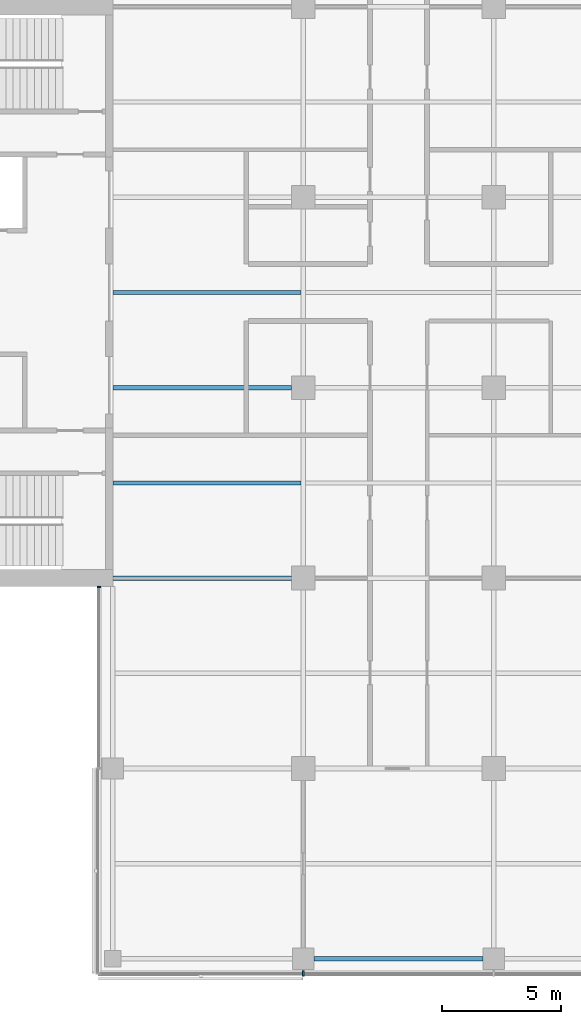
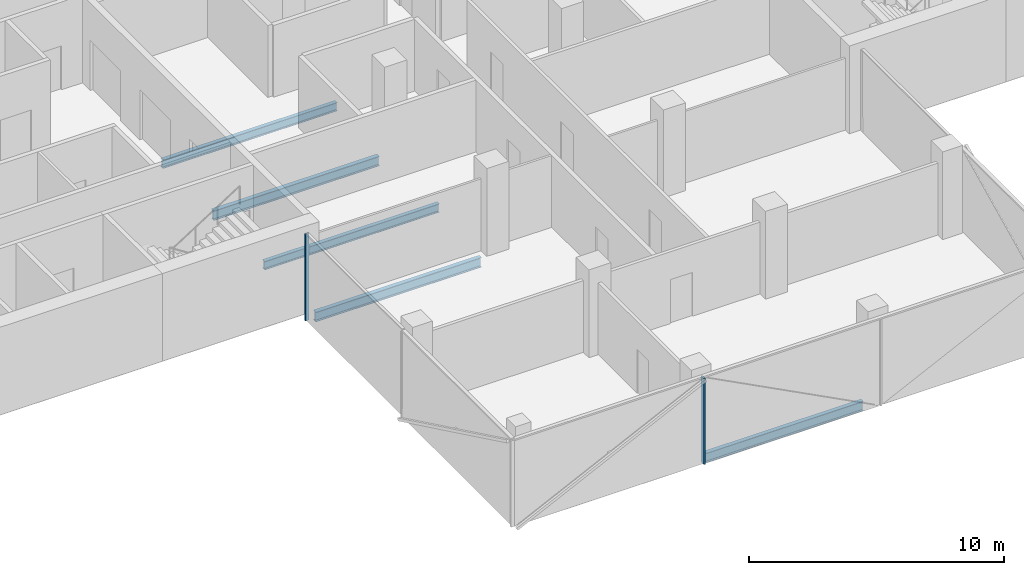
# One storey, part 4 of 22: 5 beams, 2 members, 2 elements without a shape of their own.
"""IFC4 building model written with IfcOpenShell, lengths in metres."""

from ifc_helpers import new_model, si_unit, direction, frame, origin, origin_2d, place, context, subcontext, project, spatial, rectangle, i_section, extrude, material, material_profile, profile_set, type_object, element, aggregate, save


model = new_model("IFC4")

# Units and contexts
model_context = context("Model", 3, precision=1e-05, world=origin(), true_north=direction((0.0, 1.0)))
body_context = subcontext(model_context, "Body", "Model", "MODEL_VIEW")
ifc_project = project(units=[si_unit("LENGTHUNIT", "METRE"), si_unit("AREAUNIT", "SQUARE_METRE"), si_unit("VOLUMEUNIT", "CUBIC_METRE"), si_unit("PLANEANGLEUNIT", "RADIAN"), si_unit("MASSUNIT", "GRAM", prefix="KILO")], contexts=[model_context])

# Site, building, storey
site_placement = place(None, origin())
site = spatial("IfcSite", under=ifc_project, at=site_placement, CompositionType="ELEMENT")
building_placement = place(site_placement, origin())
building = spatial("IfcBuilding", under=site, at=building_placement, Name="Crosswind Convention Tower", CompositionType="ELEMENT")
storey_placement = place(building_placement, frame((0.0, 0.0, 129.5)))
storey = spatial("IfcBuildingStorey", under=building, at=storey_placement, Name="L26", CompositionType="ELEMENT", Elevation=129.5)

# Beams
ifc_material_1 = material(Name="Steel S355", Category="steel")
ifc_material_profile_1 = material_profile(ifc_material_1, i_section(OverallWidth=0.18994140625, OverallDepth=0.45361328125, WebThickness=0.008544921875, FlangeThickness=0.0126953125, FilletRadius=0.01025390625, at=origin_2d()), Name="UB 457x191x67")
ifc_profile_set_1 = profile_set([ifc_material_profile_1], Name="Steel S355")
beam_type_1 = type_object("IfcBeamType", Name="Edge beam UB 457x191x67", PredefinedType="SPANDREL", material=ifc_profile_set_1)
beam_placement = place(storey_placement, frame((121.449951171875, 72.0, -0.52685546875), z_axis=(1.0, 0.0, 0.0), x_axis=(0.0, 1.0, 0.0)))
element("IfcBeam", 1, at=beam_placement, inside=storey, type_object=beam_type_1, Name="B16 L26 edge beam 12", PredefinedType="SPANDREL", context=body_context, shape_type="SweptSolid", body=[
    extrude(i_section(OverallWidth=0.18994140625, OverallDepth=0.45361328125, WebThickness=0.008544921875, FlangeThickness=0.0126953125, FilletRadius=0.01025390625, at=origin_2d()), origin(), (0.0, 0.0, 1.0), 7.10009765625),
])
ifc_material_profile_2 = material_profile(ifc_material_1, i_section(OverallWidth=0.19189453125, OverallDepth=0.463623046875, WebThickness=0.010498046875, FlangeThickness=0.017578125, FilletRadius=0.01025390625, at=origin_2d()), Name="UB 457x191x90")
ifc_profile_set_2 = profile_set([ifc_material_profile_2], Name="Steel S355")
beam_type_2 = type_object("IfcBeamType", Name="Girder at core wall UB 457x191x90", PredefinedType="BEAM", material=ifc_profile_set_2)
for number, where, z_axis, x_axis, name in (
    (2, (113.0, 88.0, -0.53173828125), (1.0, 0.0, 0.0), (0.0, 1.0, 0.0), "B24 L26 girder at core wall 3"),
    (3, (113.0, 96.0, -0.53173828125), (1.0, 0.0, 0.0), (0.0, 1.0, 0.0), "B24 L26 girder at core wall 4"),
):
    element("IfcBeam", number, at=place(storey_placement, frame(where, z_axis=z_axis, x_axis=x_axis)), inside=storey, type_object=beam_type_2, Name=name, PredefinedType="BEAM", context=body_context, shape_type="SweptSolid", body=[
        extrude(i_section(OverallWidth=0.19189453125, OverallDepth=0.463623046875, WebThickness=0.010498046875, FlangeThickness=0.017578125, FilletRadius=0.01025390625, at=origin_2d()), origin(), (0.0, 0.0, 1.0), 7.5),
    ])

# Curtain wall, member
ifc_material_2 = material(Name="Aluminium unitised curtain wall", Category="aluminium")
curtain_wall_type_1 = type_object("IfcCurtainWallType", Name="CORE END SLOT WALL 160", PredefinedType="USERDEFINED", material=ifc_material_2)
curtain_wall_1_placement = place(storey_placement, origin())
curtain_wall_1 = element("IfcCurtainWall", 4, at=curtain_wall_1_placement, inside=storey, type_object=curtain_wall_type_1, Name="CW6 L26 S-W.1-1 slot", ObjectType="UNITISED", PredefinedType="USERDEFINED")
ifc_material_3 = material(Name="Aluminium mullion", Category="aluminium")
ifc_material_profile_3 = material_profile(ifc_material_3, rectangle(XDim=0.159912109375, YDim=0.050048828125, at=origin_2d()), Name="AL 160X50")
ifc_profile_set_3 = profile_set([ifc_material_profile_3], Name="Aluminium mullion")
member_type_1 = type_object("IfcMemberType", Name="MULLION 50X160", PredefinedType="MULLION", material=ifc_profile_set_3)
member_1_placement = place(storey_placement, frame((112.419921875, 87.625, -0.300048828125), z_axis=(0.0, 0.0, 1.0), x_axis=(-1.0, 0.0, 0.0)))
member_1 = element("IfcMember", 5, at=member_1_placement, type_object=member_type_1, Name="CW6 mullion 1", PredefinedType="MULLION", context=body_context, shape_type="SweptSolid", body=[
    extrude(rectangle(XDim=0.159912109375, YDim=0.050048828125, at=origin_2d()), origin(), (0.0, 0.0, 1.0), 4.150146484375),
])
aggregate(curtain_wall_1, [member_1])

curtain_wall_type_2 = type_object("IfcCurtainWallType", Name="OFFICE UNITISED WALL 220", PredefinedType="USERDEFINED", material=ifc_material_2)
curtain_wall_2_placement = place(storey_placement, origin())
curtain_wall_2 = element("IfcCurtainWall", 6, at=curtain_wall_2_placement, inside=storey, type_object=curtain_wall_type_2, Name="CW3 L26 S-TIP 1", ObjectType="UNITISED", PredefinedType="USERDEFINED")
ifc_material_profile_4 = material_profile(ifc_material_3, rectangle(XDim=0.219970703125, YDim=0.070068359375, at=origin_2d()), Name="AL 220X70")
ifc_profile_set_4 = profile_set([ifc_material_profile_4], Name="Aluminium mullion")
member_type_2 = type_object("IfcMemberType", Name="MULLION 70X220", PredefinedType="MULLION", material=ifc_profile_set_4)
member_2_placement = place(storey_placement, frame((121.0, 71.389892578125, -0.300048828125), z_axis=(0.0, 0.0, 1.0), x_axis=(0.0, -1.0, 0.0)))
member_2 = element("IfcMember", 7, at=member_2_placement, type_object=member_type_2, Name="CW3 mullion 2", PredefinedType="MULLION", context=body_context, shape_type="SweptSolid", body=[
    extrude(rectangle(XDim=0.219970703125, YDim=0.070068359375, at=origin_2d()), origin(), (0.0, 0.0, 1.0), 4.130126953125),
])
aggregate(curtain_wall_2, [member_2])

# Beams
ifc_material_profile_5 = material_profile(ifc_material_1, i_section(OverallWidth=0.177734375, OverallDepth=0.406494140625, WebThickness=0.0078125, FlangeThickness=0.0126953125, FilletRadius=0.01025390625, at=origin_2d()), Name="UB 406x178x60")
ifc_profile_set_5 = profile_set([ifc_material_profile_5], Name="Steel S355")
beam_type_3 = type_object("IfcBeamType", Name="Secondary beam UB 406x178x60", PredefinedType="JOIST", material=ifc_profile_set_5)
for number, where, z_axis, x_axis, name in (
    (8, (113.0, 92.0, -0.503173828125), (1.0, 0.0, 0.0), (0.0, 1.0, 0.0), "B10 L26 secondary beam 4"),
    (9, (113.0, 100.0, -0.503173828125), (1.0, 0.0, 0.0), (0.0, 1.0, 0.0), "B10 L26 secondary beam 5"),
):
    element("IfcBeam", number, at=place(storey_placement, frame(where, z_axis=z_axis, x_axis=x_axis)), inside=storey, type_object=beam_type_3, Name=name, PredefinedType="JOIST", context=body_context, shape_type="SweptSolid", body=[
        extrude(i_section(OverallWidth=0.177734375, OverallDepth=0.406494140625, WebThickness=0.0078125, FlangeThickness=0.0126953125, FilletRadius=0.01025390625, at=origin_2d()), origin(), (0.0, 0.0, 1.0), 7.904296875),
    ])

save(model, "model.ifc")
